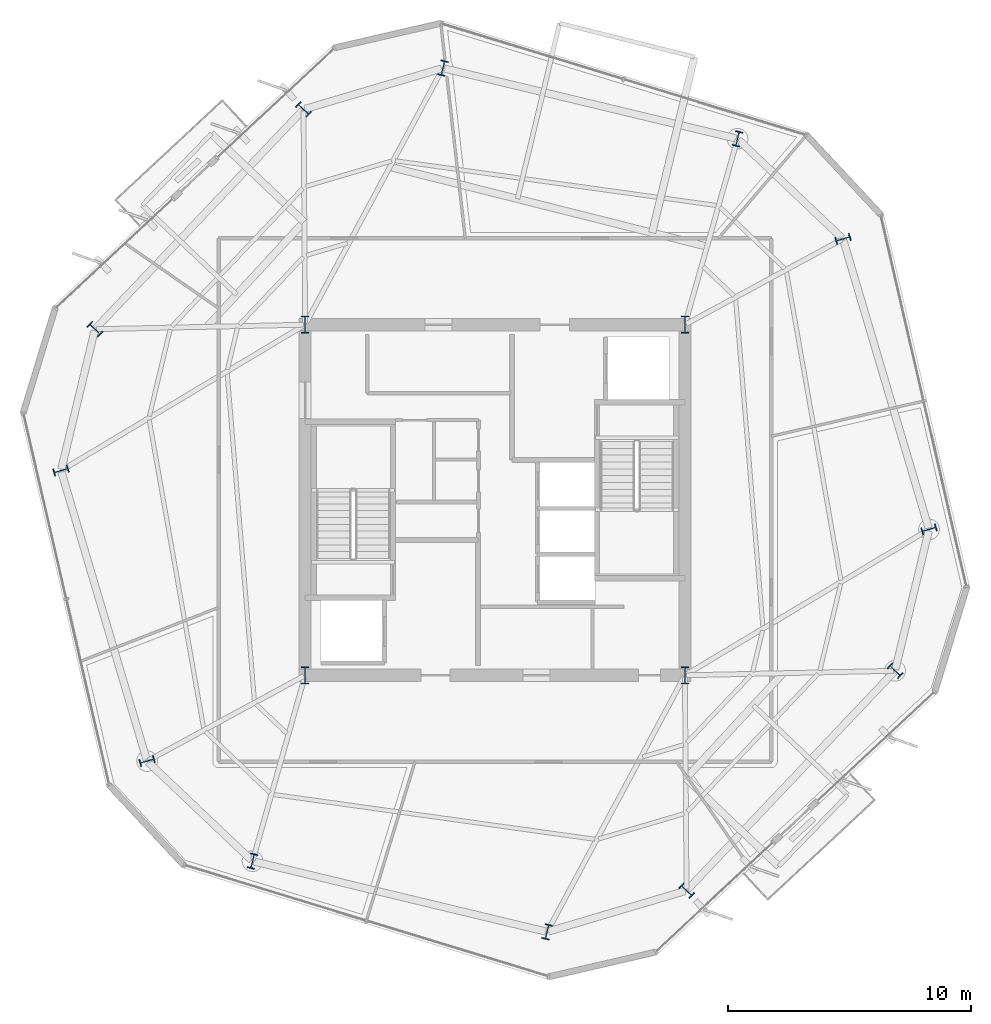
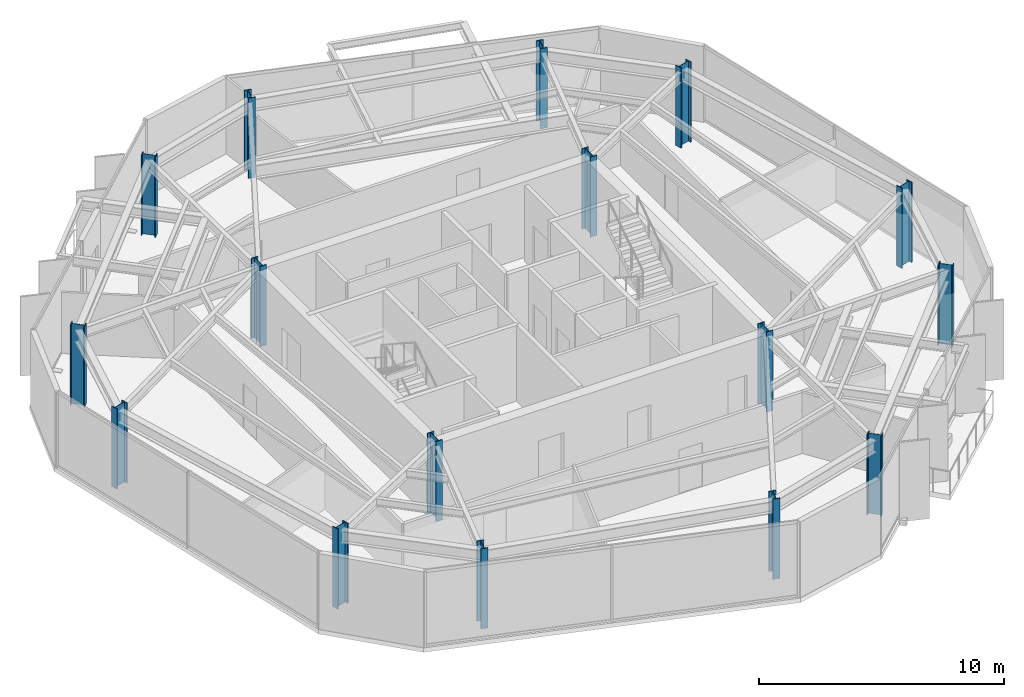
# One storey, part 1 of 11: 16 columns.
"""IFC4 building model written with IfcOpenShell, lengths in metres."""

from ifc_helpers import new_model, si_unit, direction, frame, origin, origin_2d, place, context, subcontext, project, spatial, i_section, extrude, material, material_profile, profile_set, type_object, element, save


model = new_model("IFC4")

# Units and contexts
model_context = context("Model", 3, precision=1e-05, world=origin(), true_north=direction((0.0, 1.0)))
body_context = subcontext(model_context, "Body", "Model", "MODEL_VIEW")
ifc_project = project(units=[si_unit("LENGTHUNIT", "METRE"), si_unit("AREAUNIT", "SQUARE_METRE"), si_unit("VOLUMEUNIT", "CUBIC_METRE"), si_unit("PLANEANGLEUNIT", "RADIAN"), si_unit("MASSUNIT", "GRAM", prefix="KILO")], contexts=[model_context])

# Site, building, storey
site_placement = place(None, origin())
site = spatial("IfcSite", under=ifc_project, at=site_placement, CompositionType="ELEMENT")
building_placement = place(site_placement, origin())
building = spatial("IfcBuilding", under=site, at=building_placement, Name="Kranzbogen Civic Tower", CompositionType="ELEMENT")
storey_placement = place(building_placement, frame((0.0, 0.0, 196.800048828125)))
storey = spatial("IfcBuildingStorey", under=building, at=storey_placement, Name="L47", CompositionType="ELEMENT", Elevation=196.800048828125)

# Columns
ifc_material_1 = material(Name="Steel S355", Category="steel")
ifc_material_profile_1 = material_profile(ifc_material_1, i_section(OverallWidth=0.304931640625, OverallDepth=0.6201171875, WebThickness=0.02099609375, FlangeThickness=0.0400390625, at=origin_2d()), Name="HEM 600")
ifc_profile_set_1 = profile_set([ifc_material_profile_1], Name="Steel S355")
column_type_1 = type_object("IfcColumnType", Name="Structural Column HEM 600", PredefinedType="COLUMN", material=ifc_profile_set_1)
for number, where, z_axis, x_axis, name in (
    (1, (34.9609375, 39.8349609375, 0.0), (0.0, 0.0, 1.0), (-0.972369920398, 0.233445363856, 0.0), "L47 tower perimeter tube column 01"),
    (2, (22.860107421875, 42.739990234375, 0.0), (0.0, 0.0, 1.0), (-0.972369920398, 0.233445363856, 0.0), "L47 tower perimeter tube column 02"),
    (3, (17.133056640625, 41.0439453125, 0.0), (0.0, 0.0, 1.0), (0.688354575694, 0.725374371012, 0.0), "L47 tower perimeter tube column 03"),
    (4, (8.56689453125, 32.01611328125, 0.0), (0.0, 0.0, 1.0), (0.688354575694, 0.725374371012, 0.0), "L47 tower perimeter tube column 04"),
    (5, (7.172119140625, 26.208984375, 0.0), (0.0, 0.0, 1.0), (-0.284015344704, 0.958819734868, 0.0), "L47 tower perimeter tube column 05"),
    (6, (10.70703125, 14.27587890625, 0.0), (0.0, 0.0, 1.0), (-0.284015344704, 0.958819734868, 0.0), "L47 tower perimeter tube column 06"),
    (7, (15.0390625, 10.1650390625, 0.0), (0.0, 0.0, 1.0), (-0.972369920398, 0.233445363856, 0.0), "L47 tower perimeter tube column 07"),
    (8, (27.139892578125, 7.260009765625, 0.0), (0.0, 0.0, 1.0), (-0.972369920398, 0.233445363856, 0.0), "L47 tower perimeter tube column 08"),
    (9, (32.866943359375, 8.9560546875, 0.0), (0.0, 0.0, 1.0), (0.688354575694, 0.725374371012, 0.0), "L47 tower perimeter tube column 09"),
    (10, (41.43310546875, 17.98388671875, 0.0), (0.0, 0.0, 1.0), (0.688354575694, 0.725374371012, 0.0), "L47 tower perimeter tube column 10"),
    (11, (42.827880859375, 23.791015625, 0.0), (0.0, 0.0, 1.0), (-0.284015344704, 0.958819734868, 0.0), "L47 tower perimeter tube column 11"),
    (12, (39.29296875, 35.72412109375, 0.0), (0.0, 0.0, 1.0), (-0.284015344704, 0.958819734868, 0.0), "L47 tower perimeter tube column 12"),
):
    element("IfcColumn", number, at=place(storey_placement, frame(where, z_axis=z_axis, x_axis=x_axis)), inside=storey, type_object=column_type_1, Name=name, PredefinedType="COLUMN", context=body_context, shape_type="SweptSolid", body=[
        extrude(i_section(OverallWidth=0.304931640625, OverallDepth=0.6201171875, WebThickness=0.02099609375, FlangeThickness=0.0400390625, at=origin_2d()), origin(), (0.0, 0.0, 1.0), 4.0),
    ])
ifc_material_2 = material(Name="Steel S460", Category="steel")
ifc_material_profile_2 = material_profile(ifc_material_2, i_section(OverallWidth=0.303955078125, OverallDepth=0.716064453125, WebThickness=0.02099609375, FlangeThickness=0.0400390625, at=origin_2d()), Name="HEM 700")
ifc_profile_set_2 = profile_set([ifc_material_profile_2], Name="Steel S460")
column_type_2 = type_object("IfcColumnType", Name="Structural Column HEM 700", PredefinedType="COLUMN", material=ifc_profile_set_2)
for number, where, z_axis, x_axis, name in (
    (13, (17.199951171875, 17.800048828125, 0.0), (0.0, 0.0, 1.0), (1.0, 0.0, 0.0), "L47 composite core corner column 1"),
    (14, (32.800048828125, 17.800048828125, 0.0), (0.0, 0.0, 1.0), (1.0, 0.0, 0.0), "L47 composite core corner column 2"),
    (15, (32.800048828125, 32.199951171875, 0.0), (0.0, 0.0, 1.0), (1.0, 0.0, 0.0), "L47 composite core corner column 3"),
    (16, (17.199951171875, 32.199951171875, 0.0), (0.0, 0.0, 1.0), (1.0, 0.0, 0.0), "L47 composite core corner column 4"),
):
    element("IfcColumn", number, at=place(storey_placement, frame(where, z_axis=z_axis, x_axis=x_axis)), inside=storey, type_object=column_type_2, Name=name, PredefinedType="COLUMN", context=body_context, shape_type="SweptSolid", body=[
        extrude(i_section(OverallWidth=0.303955078125, OverallDepth=0.716064453125, WebThickness=0.02099609375, FlangeThickness=0.0400390625, at=origin_2d()), origin(), (0.0, 0.0, 1.0), 4.0),
    ])

save(model, "model.ifc")
